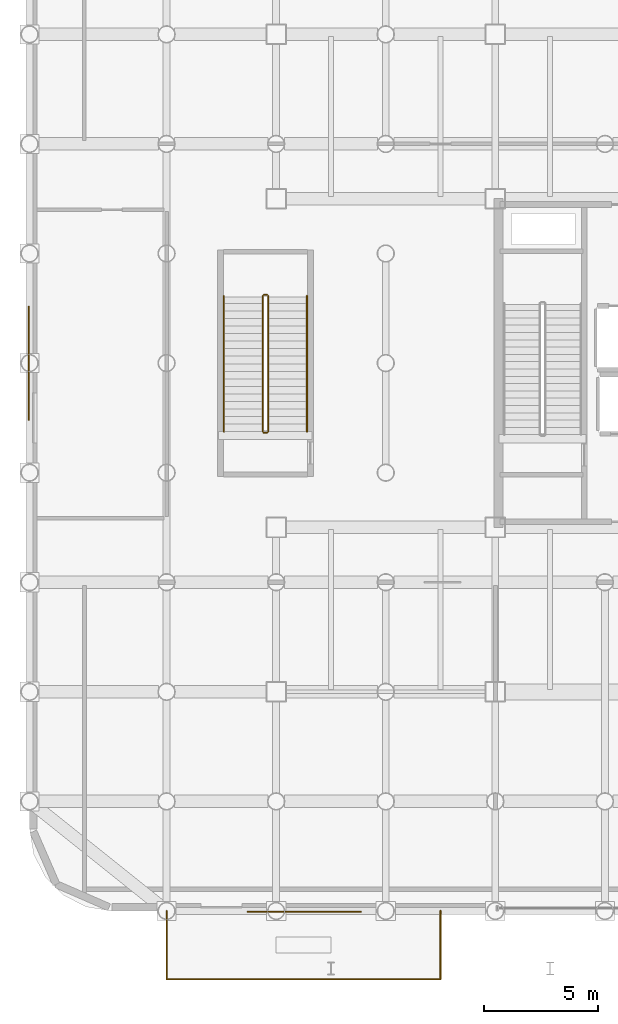
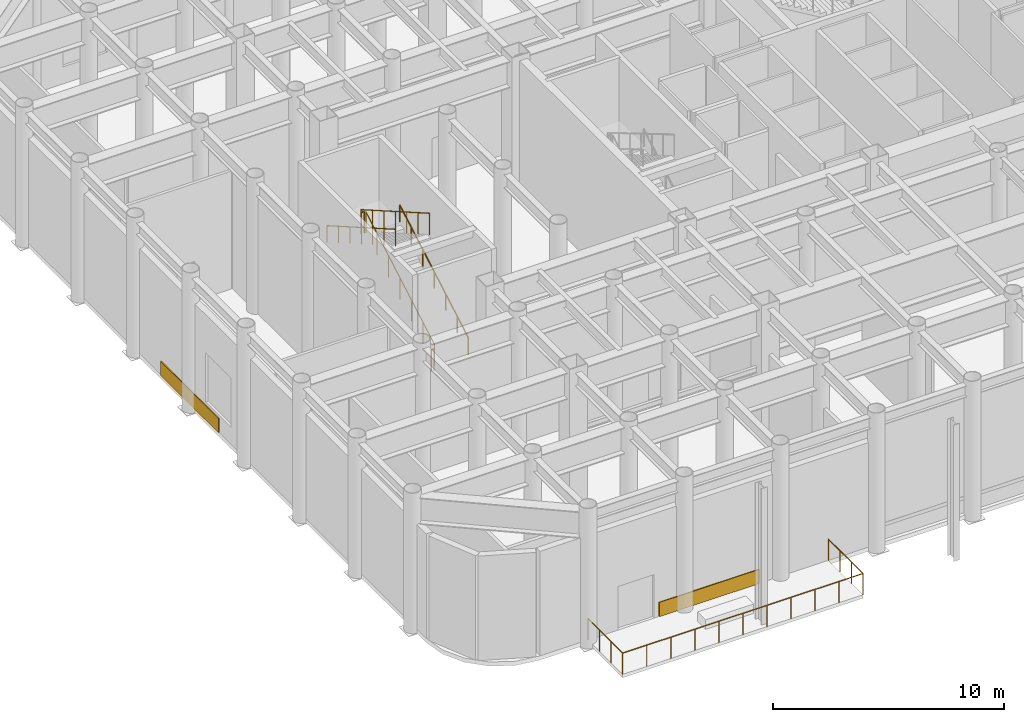
# One storey, part 19 of 23: 9 railings, 2 coverings.
"""IFC4 building model written with IfcOpenShell, lengths in metres."""

from ifc_helpers import new_model, si_unit, direction, frame, origin, origin_2d, place, context, subcontext, project, spatial, rectangle, circle, extrude, material, layer, layer_set, type_object, element, save


model = new_model("IFC4")

# Units and contexts
model_context = context("Model", 3, precision=1e-05, world=origin(), true_north=direction((0.0, 1.0)))
body_context = subcontext(model_context, "Body", "Model", "MODEL_VIEW")
ifc_project = project(units=[si_unit("LENGTHUNIT", "METRE"), si_unit("AREAUNIT", "SQUARE_METRE"), si_unit("VOLUMEUNIT", "CUBIC_METRE"), si_unit("PLANEANGLEUNIT", "RADIAN"), si_unit("MASSUNIT", "GRAM", prefix="KILO")], contexts=[model_context])

# Site, building, storey
site_placement = place(None, origin())
site = spatial("IfcSite", under=ifc_project, at=site_placement, CompositionType="ELEMENT")
building_placement = place(site_placement, origin())
building = spatial("IfcBuilding", under=site, at=building_placement, Name="Kallvorn Hotel Tower", CompositionType="ELEMENT")
storey_placement = place(building_placement, frame((0.0, 0.0, 12.0)))
storey = spatial("IfcBuildingStorey", under=building, at=storey_placement, Name="L02", CompositionType="ELEMENT", Elevation=12.0)

# Coverings
ifc_material_1 = material(Name="Precast basalt-clad insulated concrete wall C40/50", Category="masonry")
ifc_layer_1 = layer(ifc_material_1, 0.050048828125)
ifc_layer_set_1 = layer_set([ifc_layer_1], Name="COV_CLADDING_STONE")
covering_type = type_object("IfcCoveringType", Name="COV_CLADDING_STONE", PredefinedType="CLADDING", material=ifc_layer_set_1)
for number, where, z_axis, x_axis, name in (
    (1, (-22.77490234375, -24.030029296875, 0.02490234375), (0.0, 0.0, 1.0), (1.0, 0.0, 0.0), "L02 Basalt Spandrel Cladding EW-L02-SW"),
    (2, (-34.830078125, 0.0, 0.02490234375), (0.0, 0.0, 1.0), (0.0, 1.0, 0.0), "L02 Basalt Spandrel Cladding EW-L02-W"),
):
    element("IfcCovering", number, at=place(storey_placement, frame(where, z_axis=z_axis, x_axis=x_axis)), inside=storey, type_object=covering_type, Name=name, PredefinedType="CLADDING", context=body_context, shape_type="SweptSolid", body=[
        extrude(rectangle(XDim=5.0, YDim=0.050048828125, at=origin_2d()), origin(), (0.0, 0.0, 1.0), 0.75),
    ])

# Railings
ifc_material_2 = material(Name="Galvanised painted steel S275JR balustrade", Category="steel")
ifc_layer_2 = layer(ifc_material_2, 0.06005859375)
ifc_layer_set_2 = layer_set([ifc_layer_2], Name="RL_BALUSTRADE_1150")
railing_type_1 = type_object("IfcRailingType", Name="RL_BALUSTRADE_1150", PredefinedType="BALUSTRADE", material=ifc_layer_set_2)
railing_1_placement = place(storey_placement, frame((-28.800048828125, -24.0, 0.0)))
element("IfcRailing", 3, at=railing_1_placement, inside=storey, type_object=railing_type_1, Name="L02 Exterior Safety Guardrail TER-L02-S-01", PredefinedType="BALUSTRADE", context=body_context, shape_type="SweptSolid", body=[
    extrude(circle(Radius=0.02392578125, at=origin_2d()), frame((0.0, 0.0, 1.1259765625), z_axis=(0.0, -1.0, 0.0), x_axis=(1.0, 0.0, 0.0)), (0.0, 0.0, 1.0), 3.0),
    extrude(circle(Radius=0.02099609375, at=origin_2d()), origin(), (0.0, 0.0, 1.0), 1.101806640625),
    extrude(circle(Radius=0.02099609375, at=origin_2d()), frame((0.0, -1.0, 0.0)), (0.0, 0.0, 1.0), 1.101806640625),
    extrude(circle(Radius=0.02099609375, at=origin_2d()), frame((0.0, -2.0, 0.0)), (0.0, 0.0, 1.0), 1.101806640625),
    extrude(circle(Radius=0.02099609375, at=origin_2d()), frame((0.0, -3.0, 0.0)), (0.0, 0.0, 1.0), 1.101806640625),
])
railing_2_placement = place(storey_placement, frame((-28.800048828125, -27.0, 0.0)))
element("IfcRailing", 4, at=railing_2_placement, inside=storey, type_object=railing_type_1, Name="L02 Exterior Safety Guardrail TER-L02-S-02", PredefinedType="BALUSTRADE", context=body_context, shape_type="SweptSolid", body=[
    extrude(circle(Radius=0.02392578125, at=origin_2d()), frame((0.0, 0.0, 1.1259765625), z_axis=(1.0, 0.0, 0.0), x_axis=(0.0, 1.0, 0.0)), (0.0, 0.0, 1.0), 12.0),
    extrude(circle(Radius=0.02099609375, at=origin_2d()), origin(), (0.0, 0.0, 1.0), 1.101806640625),
    extrude(circle(Radius=0.02099609375, at=origin_2d()), frame((1.199951171875, 0.0, 0.0)), (0.0, 0.0, 1.0), 1.101806640625),
    extrude(circle(Radius=0.02099609375, at=origin_2d()), frame((2.39990234375, 0.0, 0.0)), (0.0, 0.0, 1.0), 1.101806640625),
    extrude(circle(Radius=0.02099609375, at=origin_2d()), frame((3.60009765625, 0.0, 0.0)), (0.0, 0.0, 1.0), 1.101806640625),
    extrude(circle(Radius=0.02099609375, at=origin_2d()), frame((4.800048828125, 0.0, 0.0)), (0.0, 0.0, 1.0), 1.101806640625),
    extrude(circle(Radius=0.02099609375, at=origin_2d()), frame((6.0, 0.0, 0.0)), (0.0, 0.0, 1.0), 1.101806640625),
    extrude(circle(Radius=0.02099609375, at=origin_2d()), frame((7.199951171875, 0.0, 0.0)), (0.0, 0.0, 1.0), 1.101806640625),
    extrude(circle(Radius=0.02099609375, at=origin_2d()), frame((8.39990234375, 0.0, 0.0)), (0.0, 0.0, 1.0), 1.101806640625),
    extrude(circle(Radius=0.02099609375, at=origin_2d()), frame((9.60009765625, 0.0, 0.0)), (0.0, 0.0, 1.0), 1.101806640625),
    extrude(circle(Radius=0.02099609375, at=origin_2d()), frame((10.800048828125, 0.0, 0.0)), (0.0, 0.0, 1.0), 1.101806640625),
    extrude(circle(Radius=0.02099609375, at=origin_2d()), frame((12.0, 0.0, 0.0)), (0.0, 0.0, 1.0), 1.101806640625),
])
railing_3_placement = place(storey_placement, frame((-16.800048828125, -27.0, 0.0)))
element("IfcRailing", 5, at=railing_3_placement, inside=storey, type_object=railing_type_1, Name="L02 Exterior Safety Guardrail TER-L02-S-03", PredefinedType="BALUSTRADE", context=body_context, shape_type="SweptSolid", body=[
    extrude(circle(Radius=0.02392578125, at=origin_2d()), frame((0.0, 0.0, 1.1259765625), z_axis=(0.0, 1.0, 0.0), x_axis=(-1.0, 0.0, 0.0)), (0.0, 0.0, 1.0), 3.0),
    extrude(circle(Radius=0.02099609375, at=origin_2d()), origin(), (0.0, 0.0, 1.0), 1.101806640625),
    extrude(circle(Radius=0.02099609375, at=origin_2d()), frame((0.0, 1.0, 0.0)), (0.0, 0.0, 1.0), 1.101806640625),
    extrude(circle(Radius=0.02099609375, at=origin_2d()), frame((0.0, 2.0, 0.0)), (0.0, 0.0, 1.0), 1.101806640625),
    extrude(circle(Radius=0.02099609375, at=origin_2d()), frame((0.0, 3.0, 0.0)), (0.0, 0.0, 1.0), 1.101806640625),
])
ifc_material_3 = material(Name="Brushed stainless-steel tubular railing", Category="steel")
ifc_layer_3 = layer(ifc_material_3, 0.050048828125)
ifc_layer_set_3 = layer_set([ifc_layer_3], Name="RL_STAIR_GUARD")
railing_type_2 = type_object("IfcRailingType", Name="RL_STAIR_GUARD", PredefinedType="GUARDRAIL", material=ifc_layer_set_3)
railing_4_placement = place(storey_placement, frame((-24.35009765625, -3.0, 0.189453125)))
element("IfcRailing", 6, at=railing_4_placement, inside=storey, type_object=railing_type_2, Name="L02 ST4 stair guard 1", PredefinedType="GUARDRAIL", context=body_context, shape_type="SweptSolid", body=[
    extrude(circle(Radius=0.02392578125, at=origin_2d()), frame((0.0, 0.0, 1.1259765625), z_axis=(0.0, 0.867210343306, 0.497941985038), x_axis=(-1.0, 0.0, 0.0)), (0.0, 0.0, 1.0), 6.849365234375),
    extrude(circle(Radius=0.02099609375, at=origin_2d()), origin(), (0.0, 0.0, 1.0), 1.101806640625),
    extrude(circle(Radius=0.02099609375, at=origin_2d()), frame((0.0, 0.989990234375, 0.568359375)), (0.0, 0.0, 1.0), 1.101806640625),
    extrude(circle(Radius=0.02099609375, at=origin_2d()), frame((0.0, 1.97998046875, 1.136962890625)), (0.0, 0.0, 1.0), 1.101806640625),
    extrude(circle(Radius=0.02099609375, at=origin_2d()), frame((0.0, 2.969970703125, 1.705322265625)), (0.0, 0.0, 1.0), 1.101806640625),
    extrude(circle(Radius=0.02099609375, at=origin_2d()), frame((0.0, 3.9599609375, 2.273681640625)), (0.0, 0.0, 1.0), 1.101806640625),
    extrude(circle(Radius=0.02099609375, at=origin_2d()), frame((0.0, 4.949951171875, 2.84228515625)), (0.0, 0.0, 1.0), 1.101806640625),
    extrude(circle(Radius=0.02099609375, at=origin_2d()), frame((0.0, 5.93994140625, 3.41064453125)), (0.0, 0.0, 1.0), 1.101806640625),
])
railing_5_placement = place(storey_placement, frame((-24.39990234375, 2.989990234375, 3.60009765625)))
element("IfcRailing", 7, at=railing_5_placement, inside=storey, type_object=railing_type_2, Name="L02 ST4 stair guard 2", PredefinedType="GUARDRAIL", context=body_context, shape_type="SweptSolid", body=[
    extrude(circle(Radius=0.02392578125, at=origin_2d()), frame((0.0, 0.0, 1.1259765625), z_axis=(-1.0, 0.0, 0.0), x_axis=(0.0, -1.0, 0.0)), (0.0, 0.0, 1.0), 0.14013671875),
    extrude(circle(Radius=0.02099609375, at=origin_2d()), origin(), (0.0, 0.0, 1.0), 1.101806640625),
    extrude(circle(Radius=0.02099609375, at=origin_2d()), frame((-0.14013671875, 0.0, 0.0)), (0.0, 0.0, 1.0), 1.101806640625),
])
railing_6_placement = place(storey_placement, frame((-24.590087890625, 2.93994140625, 3.78955078125)))
element("IfcRailing", 8, at=railing_6_placement, inside=storey, type_object=railing_type_2, Name="L02 ST4 stair guard 3", PredefinedType="GUARDRAIL", context=body_context, shape_type="SweptSolid", body=[
    extrude(circle(Radius=0.02392578125, at=origin_2d()), frame((0.0, 0.0, 1.1259765625), z_axis=(0.0, -0.867225734827, 0.497915178372), x_axis=(1.0, 0.0, 0.0)), (0.0, 0.0, 1.0), 6.849365234375),
    extrude(circle(Radius=0.02099609375, at=origin_2d()), origin(), (0.0, 0.0, 1.0), 1.101806640625),
    extrude(circle(Radius=0.02099609375, at=origin_2d()), frame((0.0, -0.989990234375, 0.568359375)), (0.0, 0.0, 1.0), 1.101806640625),
    extrude(circle(Radius=0.02099609375, at=origin_2d()), frame((0.0, -1.97998046875, 1.13671875)), (0.0, 0.0, 1.0), 1.101806640625),
    extrude(circle(Radius=0.02099609375, at=origin_2d()), frame((0.0, -2.969970703125, 1.705078125)), (0.0, 0.0, 1.0), 1.101806640625),
    extrude(circle(Radius=0.02099609375, at=origin_2d()), frame((0.0, -3.9599609375, 2.273681640625)), (0.0, 0.0, 1.0), 1.101806640625),
    extrude(circle(Radius=0.02099609375, at=origin_2d()), frame((0.0, -4.949951171875, 2.842041015625)), (0.0, 0.0, 1.0), 1.101806640625),
    extrude(circle(Radius=0.02099609375, at=origin_2d()), frame((0.0, -5.93994140625, 3.410400390625)), (0.0, 0.0, 1.0), 1.101806640625),
])
railing_7_placement = place(storey_placement, frame((-24.39990234375, -3.050048828125, 0.0)))
element("IfcRailing", 9, at=railing_7_placement, inside=storey, type_object=railing_type_2, Name="L02 ST4 stair guard 4", PredefinedType="GUARDRAIL", context=body_context, shape_type="SweptSolid", body=[
    extrude(circle(Radius=0.02392578125, at=origin_2d()), frame((0.0, 0.0, 1.1259765625), z_axis=(-1.0, 0.0, 0.0), x_axis=(0.0, -1.0, 0.0)), (0.0, 0.0, 1.0), 0.14013671875),
    extrude(circle(Radius=0.02099609375, at=origin_2d()), origin(), (0.0, 0.0, 1.0), 1.101806640625),
    extrude(circle(Radius=0.02099609375, at=origin_2d()), frame((-0.14013671875, 0.0, 0.0)), (0.0, 0.0, 1.0), 1.101806640625),
])
ifc_material_4 = material(Name="Brushed stainless-steel tubular railing", Category="steel")
ifc_layer_4 = layer(ifc_material_4, 0.050048828125)
ifc_layer_set_4 = layer_set([ifc_layer_4], Name="RL_STAIR_HAND")
railing_type_3 = type_object("IfcRailingType", Name="RL_STAIR_HAND", PredefinedType="HANDRAIL", material=ifc_layer_set_4)
railing_8_placement = place(storey_placement, frame((-22.64990234375, -3.0, 0.189453125)))
element("IfcRailing", 10, at=railing_8_placement, inside=storey, type_object=railing_type_3, Name="L02 ST4 stair handrail 1", PredefinedType="HANDRAIL", context=body_context, shape_type="SweptSolid", body=[
    extrude(circle(Radius=0.02392578125, at=origin_2d()), frame((0.0, 0.0, 0.8759765625), z_axis=(0.0, 0.867210343306, 0.497941985038), x_axis=(-1.0, 0.0, 0.0)), (0.0, 0.0, 1.0), 6.849365234375),
    extrude(circle(Radius=0.02099609375, at=origin_2d()), origin(), (0.0, 0.0, 1.0), 0.851806640625),
    extrude(circle(Radius=0.02099609375, at=origin_2d()), frame((0.0, 0.989990234375, 0.568359375)), (0.0, 0.0, 1.0), 0.851806640625),
    extrude(circle(Radius=0.02099609375, at=origin_2d()), frame((0.0, 1.97998046875, 1.136962890625)), (0.0, 0.0, 1.0), 0.851806640625),
    extrude(circle(Radius=0.02099609375, at=origin_2d()), frame((0.0, 2.969970703125, 1.705322265625)), (0.0, 0.0, 1.0), 0.851806640625),
    extrude(circle(Radius=0.02099609375, at=origin_2d()), frame((0.0, 3.9599609375, 2.273681640625)), (0.0, 0.0, 1.0), 0.851806640625),
    extrude(circle(Radius=0.02099609375, at=origin_2d()), frame((0.0, 4.949951171875, 2.84228515625)), (0.0, 0.0, 1.0), 0.851806640625),
    extrude(circle(Radius=0.02099609375, at=origin_2d()), frame((0.0, 5.93994140625, 3.41064453125)), (0.0, 0.0, 1.0), 0.851806640625),
])
railing_9_placement = place(storey_placement, frame((-26.2900390625, 2.93994140625, 3.78955078125)))
element("IfcRailing", 11, at=railing_9_placement, inside=storey, type_object=railing_type_3, Name="L02 ST4 stair handrail 2", PredefinedType="HANDRAIL", context=body_context, shape_type="SweptSolid", body=[
    extrude(circle(Radius=0.02392578125, at=origin_2d()), frame((0.0, 0.0, 0.8759765625), z_axis=(0.0, -0.867225734827, 0.497915178372), x_axis=(1.0, 0.0, 0.0)), (0.0, 0.0, 1.0), 6.849365234375),
    extrude(circle(Radius=0.02099609375, at=origin_2d()), origin(), (0.0, 0.0, 1.0), 0.851806640625),
    extrude(circle(Radius=0.02099609375, at=origin_2d()), frame((0.0, -0.989990234375, 0.568359375)), (0.0, 0.0, 1.0), 0.851806640625),
    extrude(circle(Radius=0.02099609375, at=origin_2d()), frame((0.0, -1.97998046875, 1.13671875)), (0.0, 0.0, 1.0), 0.851806640625),
    extrude(circle(Radius=0.02099609375, at=origin_2d()), frame((0.0, -2.969970703125, 1.705078125)), (0.0, 0.0, 1.0), 0.851806640625),
    extrude(circle(Radius=0.02099609375, at=origin_2d()), frame((0.0, -3.9599609375, 2.273681640625)), (0.0, 0.0, 1.0), 0.851806640625),
    extrude(circle(Radius=0.02099609375, at=origin_2d()), frame((0.0, -4.949951171875, 2.842041015625)), (0.0, 0.0, 1.0), 0.851806640625),
    extrude(circle(Radius=0.02099609375, at=origin_2d()), frame((0.0, -5.93994140625, 3.410400390625)), (0.0, 0.0, 1.0), 0.851806640625),
])

save(model, "model.ifc")
